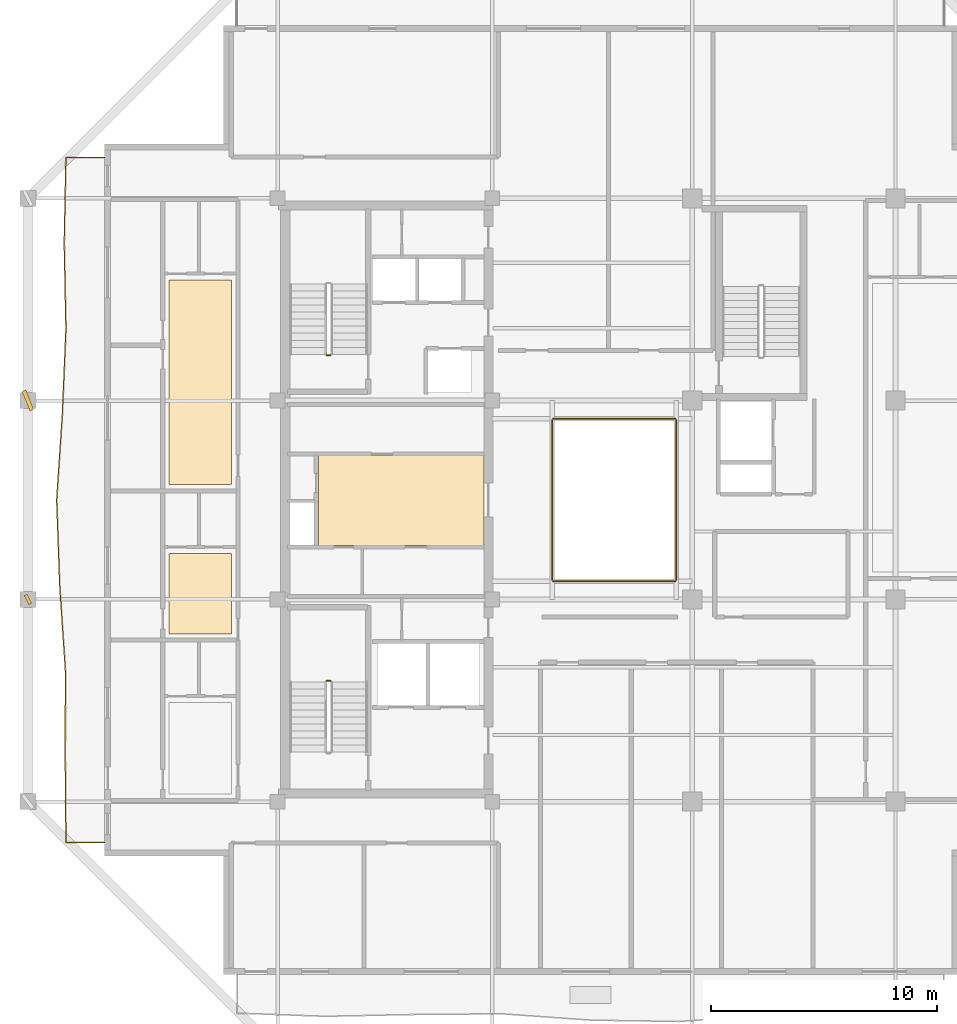
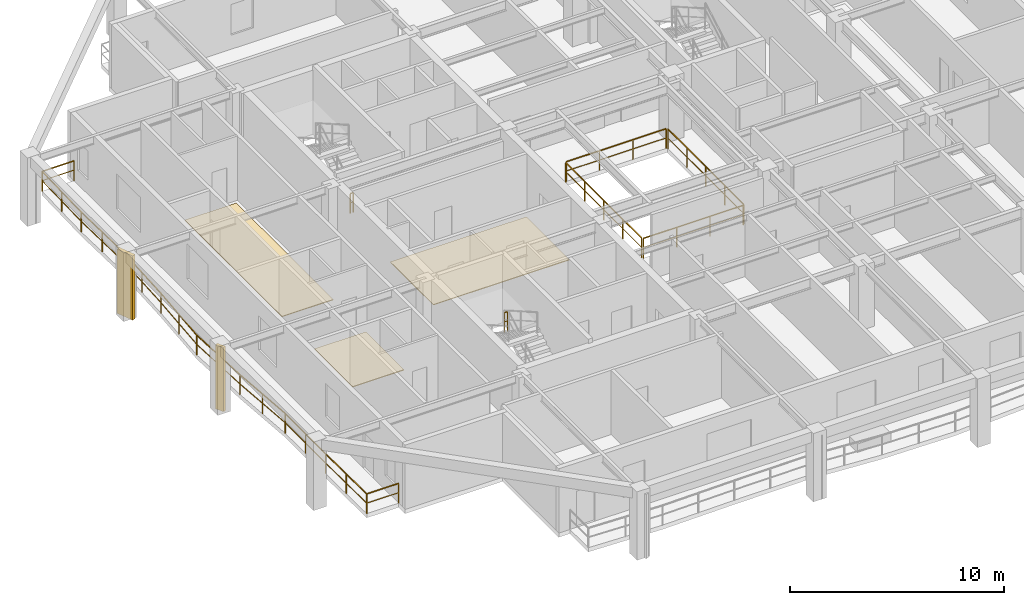
# One storey, part 8 of 11: 7 railings, 3 coverings, 2 shading devices.
"""IFC4 building model written with IfcOpenShell, lengths in metres."""

from ifc_helpers import new_model, si_unit, direction, frame, origin, origin_2d, place, context, subcontext, project, spatial, polyline, rectangle, outline, extrude, material, layer, layer_set, type_object, element, save


model = new_model("IFC4")

# Units and contexts
model_context = context("Model", 3, precision=1e-05, world=origin(), true_north=direction((0.0, 1.0)))
body_context = subcontext(model_context, "Body", "Model", "MODEL_VIEW")
ifc_project = project(units=[si_unit("LENGTHUNIT", "METRE"), si_unit("AREAUNIT", "SQUARE_METRE"), si_unit("VOLUMEUNIT", "CUBIC_METRE"), si_unit("PLANEANGLEUNIT", "RADIAN"), si_unit("MASSUNIT", "GRAM", prefix="KILO")], contexts=[model_context])

# Site, building, storey
site_placement = place(None, origin())
site = spatial("IfcSite", under=ifc_project, at=site_placement, CompositionType="ELEMENT")
building_placement = place(site_placement, origin())
building = spatial("IfcBuilding", under=site, at=building_placement, Name="Kundavana Baori Tower", CompositionType="ELEMENT")
storey_placement = place(building_placement, frame((0.0, 0.0, 264.800048828125)))
storey = spatial("IfcBuildingStorey", under=building, at=storey_placement, Name="L65", CompositionType="ELEMENT", Elevation=264.800048828125)

# Coverings
ifc_material_1 = material(Name="Honed Kota Stone and Terrazzo Flooring", Category="masonry")
ifc_layer = layer(ifc_material_1, 0.0400390625, Name="COV-FLR-TERR-40")
ifc_layer_set = layer_set([ifc_layer], Name="Honed Kota Stone and Terrazzo Flooring")
covering_type = type_object("IfcCoveringType", Name="COV-FLR-TERR-40", PredefinedType="FLOORING", material=ifc_layer_set)
covering_1_placement = place(storey_placement, origin())
element("IfcCovering", 1, at=covering_1_placement, inside=storey, type_object=covering_type, Name="L65 Room Finished Stone Flooring 2", PredefinedType="FLOORING", context=body_context, shape_type="SweptSolid", body=[
    extrude(outline(polyline([(10.64990234375, 22.679931640625), (13.419921875, 22.679931640625), (13.419921875, 26.239990234375), (10.64990234375, 26.239990234375), (10.64990234375, 22.679931640625)])), origin(), (0.0, 0.0, 1.0), 0.0400390625),
])
covering_2_placement = place(storey_placement, origin())
element("IfcCovering", 2, at=covering_2_placement, inside=storey, type_object=covering_type, Name="L65 Room Finished Stone Flooring 3", PredefinedType="FLOORING", context=body_context, shape_type="SweptSolid", body=[
    extrude(outline(polyline([(10.64990234375, 29.280029296875), (13.419921875, 29.280029296875), (13.419921875, 38.340087890625), (10.64990234375, 38.340087890625), (10.64990234375, 29.280029296875)])), origin(), (0.0, 0.0, 1.0), 0.0400390625),
])
covering_3_placement = place(storey_placement, origin())
element("IfcCovering", 3, at=covering_3_placement, inside=storey, type_object=covering_type, Name="L65 Core Lift Lobby Kota Stone Flooring", PredefinedType="FLOORING", context=body_context, shape_type="SweptSolid", body=[
    extrude(outline(polyline([(17.25, 26.580078125), (24.580078125, 26.580078125), (24.580078125, 30.60009765625), (17.25, 30.60009765625), (17.25, 26.580078125)])), origin(), (0.0, 0.0, 1.0), 0.0400390625),
])

# Railings
ifc_material_2 = material(Name="Architectural Patinated Bronze Metalwork")
railing_type_1 = type_object("IfcRailingType", Name="RL-BAL-1150", PredefinedType="BALUSTRADE", material=ifc_material_2)
railing_1_placement = place(storey_placement, frame((7.800048828125, 13.449951171875, 0.0)))
element("IfcRailing", 4, at=railing_1_placement, inside=storey, type_object=railing_type_1, Name="L65 Loggia Balcony Balustrade W", PredefinedType="BALUSTRADE", context=body_context, shape_type="SweptSolid", body=[
    extrude(rectangle(XDim=0.048095703125, YDim=0.048095703125, at=origin_2d()), frame((0.0, 0.0, 1.1259765625), z_axis=(-1.0, 0.0, 0.0), x_axis=(0.0, -1.0, 0.0)), (0.0, 0.0, 1.0), 1.719970703125),
    extrude(rectangle(XDim=0.03125, YDim=0.03125, at=origin_2d()), frame((0.0, 0.0, 0.597900390625), z_axis=(-1.0, 0.0, 0.0), x_axis=(0.0, -1.0, 0.0)), (0.0, 0.0, 1.0), 1.719970703125),
    extrude(rectangle(XDim=0.048095703125, YDim=0.048095703125, at=origin_2d()), frame((-1.719970703125, 0.0, 1.1259765625), z_axis=(-0.008184825082, 0.999966503758, 0.0), x_axis=(-0.999966503758, -0.008184825082, 0.0)), (0.0, 0.0, 1.0), 3.788330078125),
    extrude(rectangle(XDim=0.03125, YDim=0.03125, at=origin_2d()), frame((-1.719970703125, 0.0, 0.597900390625), z_axis=(-0.008184825082, 0.999966503758, 0.0), x_axis=(-0.999966503758, -0.008184825082, 0.0)), (0.0, 0.0, 1.0), 3.788330078125),
    extrude(rectangle(XDim=0.048095703125, YDim=0.048095703125, at=origin_2d()), frame((-1.7509765625, 3.7880859375, 1.1259765625), z_axis=(0.00238539712, 0.999997154936, 0.0), x_axis=(-0.999997154936, 0.00238539712, 0.0)), (0.0, 0.0, 1.0), 3.786865234375),
    extrude(rectangle(XDim=0.03125, YDim=0.03125, at=origin_2d()), frame((-1.7509765625, 3.7880859375, 0.597900390625), z_axis=(0.00238539712, 0.999997154936, 0.0), x_axis=(-0.999997154936, 0.00238539712, 0.0)), (0.0, 0.0, 1.0), 3.786865234375),
    extrude(rectangle(XDim=0.048095703125, YDim=0.048095703125, at=origin_2d()), frame((-1.741943359375, 7.574951171875, 1.1259765625), z_axis=(-0.066446432666, 0.997789993729, 0.0), x_axis=(-0.997789993729, -0.066446432666, 0.0)), (0.0, 0.0, 1.0), 3.79541015625),
    extrude(rectangle(XDim=0.03125, YDim=0.03125, at=origin_2d()), frame((-1.741943359375, 7.574951171875, 0.597900390625), z_axis=(-0.066446432666, 0.997789993729, 0.0), x_axis=(-0.997789993729, -0.066446432666, 0.0)), (0.0, 0.0, 1.0), 3.79541015625),
    extrude(rectangle(XDim=0.048095703125, YDim=0.048095703125, at=origin_2d()), frame((-1.994140625, 11.362060546875, 1.1259765625), z_axis=(-0.035875318663, 0.999356273564, 0.0), x_axis=(-0.999356273564, -0.035875318663, 0.0)), (0.0, 0.0, 1.0), 3.79052734375),
    extrude(rectangle(XDim=0.03125, YDim=0.03125, at=origin_2d()), frame((-1.994140625, 11.362060546875, 0.597900390625), z_axis=(-0.035875318663, 0.999356273564, 0.0), x_axis=(-0.999356273564, -0.035875318663, 0.0)), (0.0, 0.0, 1.0), 3.79052734375),
    extrude(rectangle(XDim=0.048095703125, YDim=0.048095703125, at=origin_2d()), frame((-2.130126953125, 15.150146484375, 1.1259765625), z_axis=(0.06643364121, 0.997790845476, 0.0), x_axis=(-0.997790845476, 0.06643364121, 0.0)), (0.0, 0.0, 1.0), 3.796142578125),
    extrude(rectangle(XDim=0.03125, YDim=0.03125, at=origin_2d()), frame((-2.130126953125, 15.150146484375, 0.597900390625), z_axis=(0.06643364121, 0.997790845476, 0.0), x_axis=(-0.997790845476, 0.06643364121, 0.0)), (0.0, 0.0, 1.0), 3.796142578125),
    extrude(rectangle(XDim=0.048095703125, YDim=0.048095703125, at=origin_2d()), frame((-1.8779296875, 18.93798828125, 1.1259765625), z_axis=(0.041673410399, 0.999131286101, 0.0), x_axis=(-0.999131286101, 0.041673410399, 0.0)), (0.0, 0.0, 1.0), 3.790283203125),
    extrude(rectangle(XDim=0.03125, YDim=0.03125, at=origin_2d()), frame((-1.8779296875, 18.93798828125, 0.597900390625), z_axis=(0.041673410399, 0.999131286101, 0.0), x_axis=(-0.999131286101, 0.041673410399, 0.0)), (0.0, 0.0, 1.0), 3.790283203125),
    extrude(rectangle(XDim=0.048095703125, YDim=0.048095703125, at=origin_2d()), frame((-1.719970703125, 22.72509765625, 1.1259765625), z_axis=(-0.020110689253, 0.999797759638, 0.0), x_axis=(-0.999797759638, -0.020110689253, 0.0)), (0.0, 0.0, 1.0), 3.78759765625),
    extrude(rectangle(XDim=0.03125, YDim=0.03125, at=origin_2d()), frame((-1.719970703125, 22.72509765625, 0.597900390625), z_axis=(-0.020110689253, 0.999797759638, 0.0), x_axis=(-0.999797759638, -0.020110689253, 0.0)), (0.0, 0.0, 1.0), 3.78759765625),
    extrude(rectangle(XDim=0.048095703125, YDim=0.048095703125, at=origin_2d()), frame((-1.796142578125, 26.511962890625, 1.1259765625), z_axis=(0.020104211244, 0.999797889921, 0.0), x_axis=(-0.999797889921, 0.020104211244, 0.0)), (0.0, 0.0, 1.0), 3.788818359375),
    extrude(rectangle(XDim=0.03125, YDim=0.03125, at=origin_2d()), frame((-1.796142578125, 26.511962890625, 0.597900390625), z_axis=(0.020104211244, 0.999797889921, 0.0), x_axis=(-0.999797889921, 0.020104211244, 0.0)), (0.0, 0.0, 1.0), 3.788818359375),
    extrude(rectangle(XDim=0.048095703125, YDim=0.048095703125, at=origin_2d()), frame((-1.719970703125, 30.300048828125, 1.1259765625), z_axis=(1.0, 0.0, 0.0), x_axis=(0.0, 1.0, 0.0)), (0.0, 0.0, 1.0), 1.719970703125),
    extrude(rectangle(XDim=0.03125, YDim=0.03125, at=origin_2d()), frame((-1.719970703125, 30.300048828125, 0.597900390625), z_axis=(1.0, 0.0, 0.0), x_axis=(0.0, 1.0, 0.0)), (0.0, 0.0, 1.0), 1.719970703125),
    extrude(rectangle(XDim=0.0419921875, YDim=0.0419921875, at=origin_2d()), origin(), (0.0, 0.0, 1.0), 1.101806640625),
    extrude(rectangle(XDim=0.0419921875, YDim=0.0419921875, at=origin_2d()), frame((-1.719970703125, 0.0, 0.0)), (0.0, 0.0, 1.0), 1.101806640625),
    extrude(rectangle(XDim=0.0419921875, YDim=0.0419921875, at=origin_2d()), frame((-1.7353515625, 1.89404296875, 0.0)), (0.0, 0.0, 1.0), 1.101806640625),
    extrude(rectangle(XDim=0.0419921875, YDim=0.0419921875, at=origin_2d()), frame((-1.7509765625, 3.7880859375, 0.0)), (0.0, 0.0, 1.0), 1.101806640625),
    extrude(rectangle(XDim=0.0419921875, YDim=0.0419921875, at=origin_2d()), frame((-1.74658203125, 5.681640625, 0.0)), (0.0, 0.0, 1.0), 1.101806640625),
    extrude(rectangle(XDim=0.0419921875, YDim=0.0419921875, at=origin_2d()), frame((-1.741943359375, 7.574951171875, 0.0)), (0.0, 0.0, 1.0), 1.101806640625),
    extrude(rectangle(XDim=0.0419921875, YDim=0.0419921875, at=origin_2d()), frame((-1.8681640625, 9.468505859375, 0.0)), (0.0, 0.0, 1.0), 1.101806640625),
    extrude(rectangle(XDim=0.0419921875, YDim=0.0419921875, at=origin_2d()), frame((-1.994140625, 11.362060546875, 0.0)), (0.0, 0.0, 1.0), 1.101806640625),
    extrude(rectangle(XDim=0.0419921875, YDim=0.0419921875, at=origin_2d()), frame((-2.06201171875, 13.256103515625, 0.0)), (0.0, 0.0, 1.0), 1.101806640625),
    extrude(rectangle(XDim=0.0419921875, YDim=0.0419921875, at=origin_2d()), frame((-2.130126953125, 15.150146484375, 0.0)), (0.0, 0.0, 1.0), 1.101806640625),
    extrude(rectangle(XDim=0.0419921875, YDim=0.0419921875, at=origin_2d()), frame((-2.00390625, 17.0439453125, 0.0)), (0.0, 0.0, 1.0), 1.101806640625),
    extrude(rectangle(XDim=0.0419921875, YDim=0.0419921875, at=origin_2d()), frame((-1.8779296875, 18.93798828125, 0.0)), (0.0, 0.0, 1.0), 1.101806640625),
    extrude(rectangle(XDim=0.0419921875, YDim=0.0419921875, at=origin_2d()), frame((-1.798828125, 20.83154296875, 0.0)), (0.0, 0.0, 1.0), 1.101806640625),
    extrude(rectangle(XDim=0.0419921875, YDim=0.0419921875, at=origin_2d()), frame((-1.719970703125, 22.72509765625, 0.0)), (0.0, 0.0, 1.0), 1.101806640625),
    extrude(rectangle(XDim=0.0419921875, YDim=0.0419921875, at=origin_2d()), frame((-1.758056640625, 24.61865234375, 0.0)), (0.0, 0.0, 1.0), 1.101806640625),
    extrude(rectangle(XDim=0.0419921875, YDim=0.0419921875, at=origin_2d()), frame((-1.796142578125, 26.511962890625, 0.0)), (0.0, 0.0, 1.0), 1.101806640625),
    extrude(rectangle(XDim=0.0419921875, YDim=0.0419921875, at=origin_2d()), frame((-1.758056640625, 28.406005859375, 0.0)), (0.0, 0.0, 1.0), 1.101806640625),
    extrude(rectangle(XDim=0.0419921875, YDim=0.0419921875, at=origin_2d()), frame((-1.719970703125, 30.300048828125, 0.0)), (0.0, 0.0, 1.0), 1.101806640625),
    extrude(rectangle(XDim=0.0419921875, YDim=0.0419921875, at=origin_2d()), frame((0.0, 30.300048828125, 0.0)), (0.0, 0.0, 1.0), 1.101806640625),
])
ifc_material_3 = material(Name="Architectural Patinated Bronze Metalwork")
railing_type_2 = type_object("IfcRailingType", Name="RL-GRD-1150", PredefinedType="GUARDRAIL", material=ifc_material_3)
for number, where, name in (
    (5, (17.7900390625, 20.60009765625, 1.949951171875), "L65 ST1 stair guard 2"),
    (6, (17.7900390625, 35.0, 0.0), "L65 ST2 stair guard 4"),
):
    element("IfcRailing", number, at=place(storey_placement, frame(where)), inside=storey, type_object=railing_type_2, Name=name, PredefinedType="GUARDRAIL", context=body_context, shape_type="SweptSolid", body=[
        extrude(rectangle(XDim=0.048095703125, YDim=0.048095703125, at=origin_2d()), frame((0.0, 0.0, 1.1259765625), z_axis=(-1.0, 0.0, 0.0), x_axis=(0.0, -1.0, 0.0)), (0.0, 0.0, 1.0), 0.16015625),
        extrude(rectangle(XDim=0.03125, YDim=0.03125, at=origin_2d()), frame((0.0, 0.0, 0.597900390625), z_axis=(-1.0, 0.0, 0.0), x_axis=(0.0, -1.0, 0.0)), (0.0, 0.0, 1.0), 0.16015625),
        extrude(rectangle(XDim=0.0419921875, YDim=0.0419921875, at=origin_2d()), origin(), (0.0, 0.0, 1.0), 1.101806640625),
        extrude(rectangle(XDim=0.0419921875, YDim=0.0419921875, at=origin_2d()), frame((-0.16015625, 0.0, 0.0)), (0.0, 0.0, 1.0), 1.101806640625),
    ])
railing_2_placement = place(storey_placement, frame((27.659912109375, 25.0, 0.0)))
element("IfcRailing", 7, at=railing_2_placement, inside=storey, type_object=railing_type_2, Name="L65 Atrium Void Perimeter Guardrail S", PredefinedType="GUARDRAIL", context=body_context, shape_type="SweptSolid", body=[
    extrude(rectangle(XDim=0.048095703125, YDim=0.048095703125, at=origin_2d()), frame((0.0, 0.0, 1.1259765625), z_axis=(1.0, 0.0, 0.0), x_axis=(0.0, 1.0, 0.0)), (0.0, 0.0, 1.0), 5.380126953125),
    extrude(rectangle(XDim=0.03125, YDim=0.03125, at=origin_2d()), frame((0.0, 0.0, 0.597900390625), z_axis=(1.0, 0.0, 0.0), x_axis=(0.0, 1.0, 0.0)), (0.0, 0.0, 1.0), 5.380126953125),
    extrude(rectangle(XDim=0.0419921875, YDim=0.0419921875, at=origin_2d()), origin(), (0.0, 0.0, 1.0), 1.101806640625),
    extrude(rectangle(XDim=0.0419921875, YDim=0.0419921875, at=origin_2d()), frame((1.79345703125, 0.0, 0.0)), (0.0, 0.0, 1.0), 1.101806640625),
    extrude(rectangle(XDim=0.0419921875, YDim=0.0419921875, at=origin_2d()), frame((3.586669921875, 0.0, 0.0)), (0.0, 0.0, 1.0), 1.101806640625),
    extrude(rectangle(XDim=0.0419921875, YDim=0.0419921875, at=origin_2d()), frame((5.380126953125, 0.0, 0.0)), (0.0, 0.0, 1.0), 1.101806640625),
])
railing_3_placement = place(storey_placement, frame((33.10009765625, 25.06005859375, 0.0)))
element("IfcRailing", 8, at=railing_3_placement, inside=storey, type_object=railing_type_2, Name="L65 Atrium Void Perimeter Guardrail E", PredefinedType="GUARDRAIL", context=body_context, shape_type="SweptSolid", body=[
    extrude(rectangle(XDim=0.048095703125, YDim=0.048095703125, at=origin_2d()), frame((0.0, 0.0, 1.1259765625), z_axis=(0.0, 1.0, 0.0), x_axis=(-1.0, 0.0, 0.0)), (0.0, 0.0, 1.0), 7.079833984375),
    extrude(rectangle(XDim=0.03125, YDim=0.03125, at=origin_2d()), frame((0.0, 0.0, 0.597900390625), z_axis=(0.0, 1.0, 0.0), x_axis=(-1.0, 0.0, 0.0)), (0.0, 0.0, 1.0), 7.079833984375),
    extrude(rectangle(XDim=0.0419921875, YDim=0.0419921875, at=origin_2d()), origin(), (0.0, 0.0, 1.0), 1.101806640625),
    extrude(rectangle(XDim=0.0419921875, YDim=0.0419921875, at=origin_2d()), frame((0.0, 1.77001953125, 0.0)), (0.0, 0.0, 1.0), 1.101806640625),
    extrude(rectangle(XDim=0.0419921875, YDim=0.0419921875, at=origin_2d()), frame((0.0, 3.5400390625, 0.0)), (0.0, 0.0, 1.0), 1.101806640625),
    extrude(rectangle(XDim=0.0419921875, YDim=0.0419921875, at=origin_2d()), frame((0.0, 5.309814453125, 0.0)), (0.0, 0.0, 1.0), 1.101806640625),
    extrude(rectangle(XDim=0.0419921875, YDim=0.0419921875, at=origin_2d()), frame((0.0, 7.079833984375, 0.0)), (0.0, 0.0, 1.0), 1.101806640625),
])
railing_4_placement = place(storey_placement, frame((33.0400390625, 32.199951171875, 0.0)))
element("IfcRailing", 9, at=railing_4_placement, inside=storey, type_object=railing_type_2, Name="L65 Atrium Void Perimeter Guardrail N", PredefinedType="GUARDRAIL", context=body_context, shape_type="SweptSolid", body=[
    extrude(rectangle(XDim=0.048095703125, YDim=0.048095703125, at=origin_2d()), frame((0.0, 0.0, 1.1259765625), z_axis=(-1.0, 0.0, 0.0), x_axis=(0.0, -1.0, 0.0)), (0.0, 0.0, 1.0), 5.380126953125),
    extrude(rectangle(XDim=0.03125, YDim=0.03125, at=origin_2d()), frame((0.0, 0.0, 0.597900390625), z_axis=(-1.0, 0.0, 0.0), x_axis=(0.0, -1.0, 0.0)), (0.0, 0.0, 1.0), 5.380126953125),
    extrude(rectangle(XDim=0.0419921875, YDim=0.0419921875, at=origin_2d()), origin(), (0.0, 0.0, 1.0), 1.101806640625),
    extrude(rectangle(XDim=0.0419921875, YDim=0.0419921875, at=origin_2d()), frame((-1.79345703125, 0.0, 0.0)), (0.0, 0.0, 1.0), 1.101806640625),
    extrude(rectangle(XDim=0.0419921875, YDim=0.0419921875, at=origin_2d()), frame((-3.586669921875, 0.0, 0.0)), (0.0, 0.0, 1.0), 1.101806640625),
    extrude(rectangle(XDim=0.0419921875, YDim=0.0419921875, at=origin_2d()), frame((-5.380126953125, 0.0, 0.0)), (0.0, 0.0, 1.0), 1.101806640625),
])
railing_5_placement = place(storey_placement, frame((27.60009765625, 32.139892578125, 0.0)))
element("IfcRailing", 10, at=railing_5_placement, inside=storey, type_object=railing_type_2, Name="L65 Atrium Void Perimeter Guardrail W", PredefinedType="GUARDRAIL", context=body_context, shape_type="SweptSolid", body=[
    extrude(rectangle(XDim=0.048095703125, YDim=0.048095703125, at=origin_2d()), frame((0.0, 0.0, 1.1259765625), z_axis=(0.0, -1.0, 0.0), x_axis=(1.0, 0.0, 0.0)), (0.0, 0.0, 1.0), 7.079833984375),
    extrude(rectangle(XDim=0.03125, YDim=0.03125, at=origin_2d()), frame((0.0, 0.0, 0.597900390625), z_axis=(0.0, -1.0, 0.0), x_axis=(1.0, 0.0, 0.0)), (0.0, 0.0, 1.0), 7.079833984375),
    extrude(rectangle(XDim=0.0419921875, YDim=0.0419921875, at=origin_2d()), origin(), (0.0, 0.0, 1.0), 1.101806640625),
    extrude(rectangle(XDim=0.0419921875, YDim=0.0419921875, at=origin_2d()), frame((0.0, -1.77001953125, 0.0)), (0.0, 0.0, 1.0), 1.101806640625),
    extrude(rectangle(XDim=0.0419921875, YDim=0.0419921875, at=origin_2d()), frame((0.0, -3.5400390625, 0.0)), (0.0, 0.0, 1.0), 1.101806640625),
    extrude(rectangle(XDim=0.0419921875, YDim=0.0419921875, at=origin_2d()), frame((0.0, -5.309814453125, 0.0)), (0.0, 0.0, 1.0), 1.101806640625),
    extrude(rectangle(XDim=0.0419921875, YDim=0.0419921875, at=origin_2d()), frame((0.0, -7.079833984375, 0.0)), (0.0, 0.0, 1.0), 1.101806640625),
])

# Shading devices
ifc_material_4 = material(Name="Red-Buff Dholpur Sandstone Cladding on Concrete C40/50", Category="masonry")
shading_device_type_1 = type_object("IfcShadingDeviceType", Name="SHD-FIN-920", PredefinedType="JALOUSIE", material=ifc_material_4)
shading_device_1_placement = place(storey_placement, frame((4.39990234375, 33.0, 0.0), z_axis=(0.0, 0.0, 1.0), x_axis=(0.92685659564, 0.375415571225, 0.0)))
element("IfcShadingDevice", 11, at=shading_device_1_placement, inside=storey, type_object=shading_device_type_1, Name="L65 Sweeping Dholpur Sandstone Facade Fin 7", PredefinedType="JALOUSIE", context=body_context, shape_type="SweptSolid", body=[
    extrude(rectangle(XDim=0.179931640625, YDim=0.919921875, at=origin_2d()), origin(), (0.0, 0.0, 1.0), 3.659912109375),
])
ifc_material_5 = material(Name="Architectural Patinated Bronze Metalwork")
shading_device_type_2 = type_object("IfcShadingDeviceType", Name="SHD-LOUV-450", PredefinedType="SHUTTER", material=ifc_material_5)
shading_device_2_placement = place(storey_placement, frame((4.39990234375, 24.199951171875, 0.0), z_axis=(0.0, 0.0, 1.0), x_axis=(0.887654691022, 0.460509662773, 0.0)))
element("IfcShadingDevice", 12, at=shading_device_2_placement, inside=storey, type_object=shading_device_type_2, Name="L65 Sweeping Dholpur Sandstone Facade Fin 6", PredefinedType="SHUTTER", context=body_context, shape_type="SweptSolid", body=[
    extrude(rectangle(XDim=0.139892578125, YDim=0.449951171875, at=origin_2d()), origin(), (0.0, 0.0, 1.0), 3.659912109375),
])

save(model, "model.ifc")
